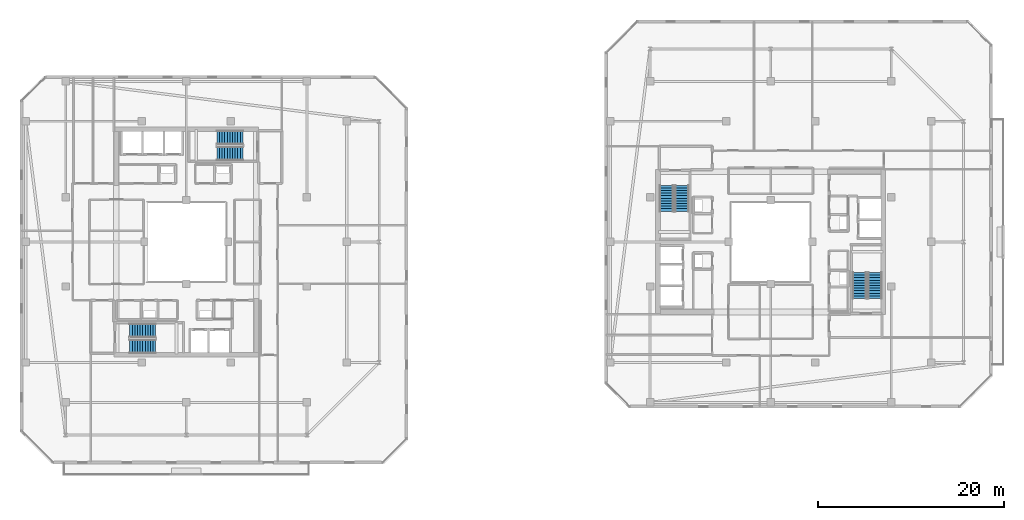
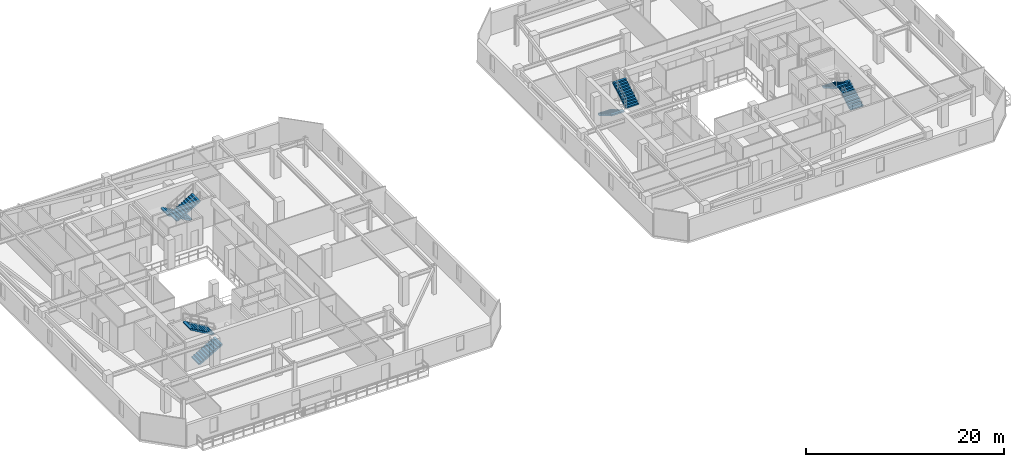
# One storey, part 29 of 35: 8 stair flights, 4 elements without a shape of their own.
"""IFC4 building model written with IfcOpenShell, lengths in metres."""

from ifc_helpers import new_model, si_unit, direction, frame, origin, place, context, subcontext, project, spatial, polyline, outline, extrude, material, type_object, element, aggregate, save


model = new_model("IFC4")

# Units and contexts
model_context = context("Model", 3, precision=1e-05, world=origin(), true_north=direction((0.0, 1.0)))
body_context = subcontext(model_context, "Body", "Model", "MODEL_VIEW")
ifc_project = project(units=[si_unit("LENGTHUNIT", "METRE"), si_unit("AREAUNIT", "SQUARE_METRE"), si_unit("VOLUMEUNIT", "CUBIC_METRE"), si_unit("PLANEANGLEUNIT", "RADIAN"), si_unit("MASSUNIT", "GRAM", prefix="KILO")], contexts=[model_context])

# Site, building, storey
site_placement = place(None, origin())
site = spatial("IfcSite", under=ifc_project, at=site_placement, CompositionType="ELEMENT")
building_placement = place(site_placement, origin())
building = spatial("IfcBuilding", under=site, at=building_placement, Name="Thornwick Lancets Civic Towers", CompositionType="ELEMENT")
storey_placement = place(building_placement, frame((0.0, 0.0, 265.5)))
storey = spatial("IfcBuildingStorey", under=building, at=storey_placement, Name="L71", CompositionType="ELEMENT", Elevation=265.5)

# Stair, stair flights
ifc_material = material(Name="Concrete C40/50", Category="concrete")
stair_type = type_object("IfcStairType", Name="STAIR_DL_3600", PredefinedType="HALF_TURN_STAIR", material=ifc_material)
stair_1_placement = place(storey_placement, origin())
stair_1 = element("IfcStair", 1, at=stair_1_placement, inside=storey, type_object=stair_type, Name="L71 Tower A South Exit Stair ST-A1", PredefinedType="HALF_TURN_STAIR")
stair_flight_type = type_object("IfcStairFlightType", Name="FLIGHT_3600", PredefinedType="STRAIGHT", material=ifc_material)
stair_flight_1_placement = place(storey_placement, frame((19.39990234375, 15.75, 0.0), z_axis=(0.0, 0.0, 1.0), x_axis=(1.0, 0.0, 0.0)))
stair_flight_1 = element("IfcStairFlight", 2, at=stair_flight_1_placement, type_object=stair_flight_type, Name="ST-A1 flight 1", NumberOfRisers=11, NumberOfTreads=10, PredefinedType="STRAIGHT", RiserHeight=0.163636364, TreadLength=0.28, context=body_context, shape_type="SweptSolid", body=[
    extrude(outline(polyline([(0.0, 0.0), (0.0, 0.16357421875), (0.280029296875, 0.16357421875), (0.280029296875, 0.327392578125), (0.56005859375, 0.327392578125), (0.56005859375, 0.490966796875), (0.840087890625, 0.490966796875), (0.840087890625, 0.654541015625), (1.1201171875, 0.654541015625), (1.1201171875, 0.818115234375), (1.39990234375, 0.818115234375), (1.39990234375, 0.98193359375), (1.679931640625, 0.98193359375), (1.679931640625, 1.1455078125), (1.9599609375, 1.1455078125), (1.9599609375, 1.30908203125), (2.239990234375, 1.30908203125), (2.239990234375, 1.47265625), (2.52001953125, 1.47265625), (2.52001953125, 1.636474609375), (2.800048828125, 1.636474609375), (2.800048828125, 1.800048828125), (2.800048828125, 1.462646484375), (0.297119140625, 0.0), (0.0, 0.0)])), frame((0.0, 0.75, 0.0), z_axis=(0.0, -1.0, 0.0), x_axis=(1.0, 0.0, 0.0)), (0.0, 0.0, 1.0), 1.5),
])
stair_flight_2_placement = place(storey_placement, frame((22.199951171875, 17.449951171875, 1.800048828125), z_axis=(0.0, 0.0, 1.0), x_axis=(-1.0, 0.0, 0.0)))
stair_flight_2 = element("IfcStairFlight", 3, at=stair_flight_2_placement, type_object=stair_flight_type, Name="ST-A1 flight 2", NumberOfRisers=11, NumberOfTreads=10, PredefinedType="STRAIGHT", RiserHeight=0.163636364, TreadLength=0.28, context=body_context, shape_type="SweptSolid", body=[
    extrude(outline(polyline([(0.0, 0.0), (0.0, 0.16357421875), (0.280029296875, 0.16357421875), (0.280029296875, 0.327392578125), (0.56005859375, 0.327392578125), (0.56005859375, 0.490966796875), (0.840087890625, 0.490966796875), (0.840087890625, 0.654541015625), (1.1201171875, 0.654541015625), (1.1201171875, 0.818115234375), (1.39990234375, 0.818115234375), (1.39990234375, 0.98193359375), (1.679931640625, 0.98193359375), (1.679931640625, 1.1455078125), (1.9599609375, 1.1455078125), (1.9599609375, 1.30908203125), (2.239990234375, 1.30908203125), (2.239990234375, 1.47265625), (2.52001953125, 1.47265625), (2.52001953125, 1.636474609375), (2.800048828125, 1.636474609375), (2.800048828125, 1.800048828125), (2.800048828125, 1.462646484375), (0.297119140625, 0.0), (0.0, 0.0)])), frame((0.0, 0.75, 0.0), z_axis=(0.0, -1.0, 0.0), x_axis=(1.0, 0.0, 0.0)), (0.0, 0.0, 1.0), 1.5),
])
aggregate(stair_1, [stair_flight_1, stair_flight_2])

stair_2_placement = place(storey_placement, origin())
stair_2 = element("IfcStair", 4, at=stair_2_placement, inside=storey, type_object=stair_type, Name="L71 Tower A North Exit Stair ST-A2", PredefinedType="HALF_TURN_STAIR")
stair_flight_3_placement = place(storey_placement, frame((31.60009765625, 38.25, 0.0), z_axis=(0.0, 0.0, 1.0), x_axis=(-1.0, 0.0, 0.0)))
stair_flight_3 = element("IfcStairFlight", 5, at=stair_flight_3_placement, type_object=stair_flight_type, Name="ST-A2 flight 1", NumberOfRisers=11, NumberOfTreads=10, PredefinedType="STRAIGHT", RiserHeight=0.163636364, TreadLength=0.28, context=body_context, shape_type="SweptSolid", body=[
    extrude(outline(polyline([(0.0, 0.0), (0.0, 0.16357421875), (0.280029296875, 0.16357421875), (0.280029296875, 0.327392578125), (0.56005859375, 0.327392578125), (0.56005859375, 0.490966796875), (0.840087890625, 0.490966796875), (0.840087890625, 0.654541015625), (1.1201171875, 0.654541015625), (1.1201171875, 0.818115234375), (1.39990234375, 0.818115234375), (1.39990234375, 0.98193359375), (1.679931640625, 0.98193359375), (1.679931640625, 1.1455078125), (1.9599609375, 1.1455078125), (1.9599609375, 1.30908203125), (2.239990234375, 1.30908203125), (2.239990234375, 1.47265625), (2.52001953125, 1.47265625), (2.52001953125, 1.636474609375), (2.800048828125, 1.636474609375), (2.800048828125, 1.800048828125), (2.800048828125, 1.462646484375), (0.297119140625, 0.0), (0.0, 0.0)])), frame((0.0, 0.75, 0.0), z_axis=(0.0, -1.0, 0.0), x_axis=(1.0, 0.0, 0.0)), (0.0, 0.0, 1.0), 1.5),
])
stair_flight_4_placement = place(storey_placement, frame((28.800048828125, 36.550048828125, 1.800048828125), z_axis=(0.0, 0.0, 1.0), x_axis=(1.0, 0.0, 0.0)))
stair_flight_4 = element("IfcStairFlight", 6, at=stair_flight_4_placement, type_object=stair_flight_type, Name="ST-A2 flight 2", NumberOfRisers=11, NumberOfTreads=10, PredefinedType="STRAIGHT", RiserHeight=0.163636364, TreadLength=0.28, context=body_context, shape_type="SweptSolid", body=[
    extrude(outline(polyline([(0.0, 0.0), (0.0, 0.16357421875), (0.280029296875, 0.16357421875), (0.280029296875, 0.327392578125), (0.56005859375, 0.327392578125), (0.56005859375, 0.490966796875), (0.840087890625, 0.490966796875), (0.840087890625, 0.654541015625), (1.1201171875, 0.654541015625), (1.1201171875, 0.818115234375), (1.39990234375, 0.818115234375), (1.39990234375, 0.98193359375), (1.679931640625, 0.98193359375), (1.679931640625, 1.1455078125), (1.9599609375, 1.1455078125), (1.9599609375, 1.30908203125), (2.239990234375, 1.30908203125), (2.239990234375, 1.47265625), (2.52001953125, 1.47265625), (2.52001953125, 1.636474609375), (2.800048828125, 1.636474609375), (2.800048828125, 1.800048828125), (2.800048828125, 1.462646484375), (0.297119140625, 0.0), (0.0, 0.0)])), frame((0.0, 0.75, 0.0), z_axis=(0.0, -1.0, 0.0), x_axis=(1.0, 0.0, 0.0)), (0.0, 0.0, 1.0), 1.5),
])
aggregate(stair_2, [stair_flight_3, stair_flight_4])

stair_3_placement = place(storey_placement, origin())
stair_3 = element("IfcStair", 7, at=stair_3_placement, inside=storey, type_object=stair_type, Name="L71 Tower B East Exit Stair ST-B1", PredefinedType="HALF_TURN_STAIR")
stair_flight_5_placement = place(storey_placement, frame((99.75, 20.89990234375, 0.0), z_axis=(0.0, 0.0, 1.0), x_axis=(0.0, 1.0, 0.0)))
stair_flight_5 = element("IfcStairFlight", 8, at=stair_flight_5_placement, type_object=stair_flight_type, Name="ST-B1 flight 1", NumberOfRisers=11, NumberOfTreads=10, PredefinedType="STRAIGHT", RiserHeight=0.163636364, TreadLength=0.28, context=body_context, shape_type="SweptSolid", body=[
    extrude(outline(polyline([(0.0, 0.0), (0.0, 0.16357421875), (0.280029296875, 0.16357421875), (0.280029296875, 0.327392578125), (0.56005859375, 0.327392578125), (0.56005859375, 0.490966796875), (0.840087890625, 0.490966796875), (0.840087890625, 0.654541015625), (1.1201171875, 0.654541015625), (1.1201171875, 0.818115234375), (1.39990234375, 0.818115234375), (1.39990234375, 0.98193359375), (1.679931640625, 0.98193359375), (1.679931640625, 1.1455078125), (1.9599609375, 1.1455078125), (1.9599609375, 1.30908203125), (2.239990234375, 1.30908203125), (2.239990234375, 1.47265625), (2.52001953125, 1.47265625), (2.52001953125, 1.636474609375), (2.800048828125, 1.636474609375), (2.800048828125, 1.800048828125), (2.800048828125, 1.462646484375), (0.297119140625, 0.0), (0.0, 0.0)])), frame((0.0, 0.75, 0.0), z_axis=(0.0, -1.0, 0.0), x_axis=(1.0, 0.0, 0.0)), (0.0, 0.0, 1.0), 1.5),
])
stair_flight_6_placement = place(storey_placement, frame((98.050048828125, 23.699951171875, 1.800048828125), z_axis=(0.0, 0.0, 1.0), x_axis=(0.0, -1.0, 0.0)))
stair_flight_6 = element("IfcStairFlight", 9, at=stair_flight_6_placement, type_object=stair_flight_type, Name="ST-B1 flight 2", NumberOfRisers=11, NumberOfTreads=10, PredefinedType="STRAIGHT", RiserHeight=0.163636364, TreadLength=0.28, context=body_context, shape_type="SweptSolid", body=[
    extrude(outline(polyline([(0.0, 0.0), (0.0, 0.16357421875), (0.280029296875, 0.16357421875), (0.280029296875, 0.327392578125), (0.56005859375, 0.327392578125), (0.56005859375, 0.490966796875), (0.840087890625, 0.490966796875), (0.840087890625, 0.654541015625), (1.1201171875, 0.654541015625), (1.1201171875, 0.818115234375), (1.39990234375, 0.818115234375), (1.39990234375, 0.98193359375), (1.679931640625, 0.98193359375), (1.679931640625, 1.1455078125), (1.9599609375, 1.1455078125), (1.9599609375, 1.30908203125), (2.239990234375, 1.30908203125), (2.239990234375, 1.47265625), (2.52001953125, 1.47265625), (2.52001953125, 1.636474609375), (2.800048828125, 1.636474609375), (2.800048828125, 1.800048828125), (2.800048828125, 1.462646484375), (0.297119140625, 0.0), (0.0, 0.0)])), frame((0.0, 0.75, 0.0), z_axis=(0.0, -1.0, 0.0), x_axis=(1.0, 0.0, 0.0)), (0.0, 0.0, 1.0), 1.5),
])
aggregate(stair_3, [stair_flight_5, stair_flight_6])

stair_4_placement = place(storey_placement, origin())
stair_4 = element("IfcStair", 10, at=stair_4_placement, inside=storey, type_object=stair_type, Name="L71 Tower B West Exit Stair ST-B2", PredefinedType="HALF_TURN_STAIR")
stair_flight_7_placement = place(storey_placement, frame((77.25, 33.10009765625, 0.0), z_axis=(0.0, 0.0, 1.0), x_axis=(0.0, -1.0, 0.0)))
stair_flight_7 = element("IfcStairFlight", 11, at=stair_flight_7_placement, type_object=stair_flight_type, Name="ST-B2 flight 1", NumberOfRisers=11, NumberOfTreads=10, PredefinedType="STRAIGHT", RiserHeight=0.163636364, TreadLength=0.28, context=body_context, shape_type="SweptSolid", body=[
    extrude(outline(polyline([(0.0, 0.0), (0.0, 0.16357421875), (0.280029296875, 0.16357421875), (0.280029296875, 0.327392578125), (0.56005859375, 0.327392578125), (0.56005859375, 0.490966796875), (0.840087890625, 0.490966796875), (0.840087890625, 0.654541015625), (1.1201171875, 0.654541015625), (1.1201171875, 0.818115234375), (1.39990234375, 0.818115234375), (1.39990234375, 0.98193359375), (1.679931640625, 0.98193359375), (1.679931640625, 1.1455078125), (1.9599609375, 1.1455078125), (1.9599609375, 1.30908203125), (2.239990234375, 1.30908203125), (2.239990234375, 1.47265625), (2.52001953125, 1.47265625), (2.52001953125, 1.636474609375), (2.800048828125, 1.636474609375), (2.800048828125, 1.800048828125), (2.800048828125, 1.462646484375), (0.297119140625, 0.0), (0.0, 0.0)])), frame((0.0, 0.75, 0.0), z_axis=(0.0, -1.0, 0.0), x_axis=(1.0, 0.0, 0.0)), (0.0, 0.0, 1.0), 1.5),
])
stair_flight_8_placement = place(storey_placement, frame((78.949951171875, 30.300048828125, 1.800048828125), z_axis=(0.0, 0.0, 1.0), x_axis=(0.0, 1.0, 0.0)))
stair_flight_8 = element("IfcStairFlight", 12, at=stair_flight_8_placement, type_object=stair_flight_type, Name="ST-B2 flight 2", NumberOfRisers=11, NumberOfTreads=10, PredefinedType="STRAIGHT", RiserHeight=0.163636364, TreadLength=0.28, context=body_context, shape_type="SweptSolid", body=[
    extrude(outline(polyline([(0.0, 0.0), (0.0, 0.16357421875), (0.280029296875, 0.16357421875), (0.280029296875, 0.327392578125), (0.56005859375, 0.327392578125), (0.56005859375, 0.490966796875), (0.840087890625, 0.490966796875), (0.840087890625, 0.654541015625), (1.1201171875, 0.654541015625), (1.1201171875, 0.818115234375), (1.39990234375, 0.818115234375), (1.39990234375, 0.98193359375), (1.679931640625, 0.98193359375), (1.679931640625, 1.1455078125), (1.9599609375, 1.1455078125), (1.9599609375, 1.30908203125), (2.239990234375, 1.30908203125), (2.239990234375, 1.47265625), (2.52001953125, 1.47265625), (2.52001953125, 1.636474609375), (2.800048828125, 1.636474609375), (2.800048828125, 1.800048828125), (2.800048828125, 1.462646484375), (0.297119140625, 0.0), (0.0, 0.0)])), frame((0.0, 0.75, 0.0), z_axis=(0.0, -1.0, 0.0), x_axis=(1.0, 0.0, 0.0)), (0.0, 0.0, 1.0), 1.5),
])
aggregate(stair_4, [stair_flight_7, stair_flight_8])

save(model, "model.ifc")
